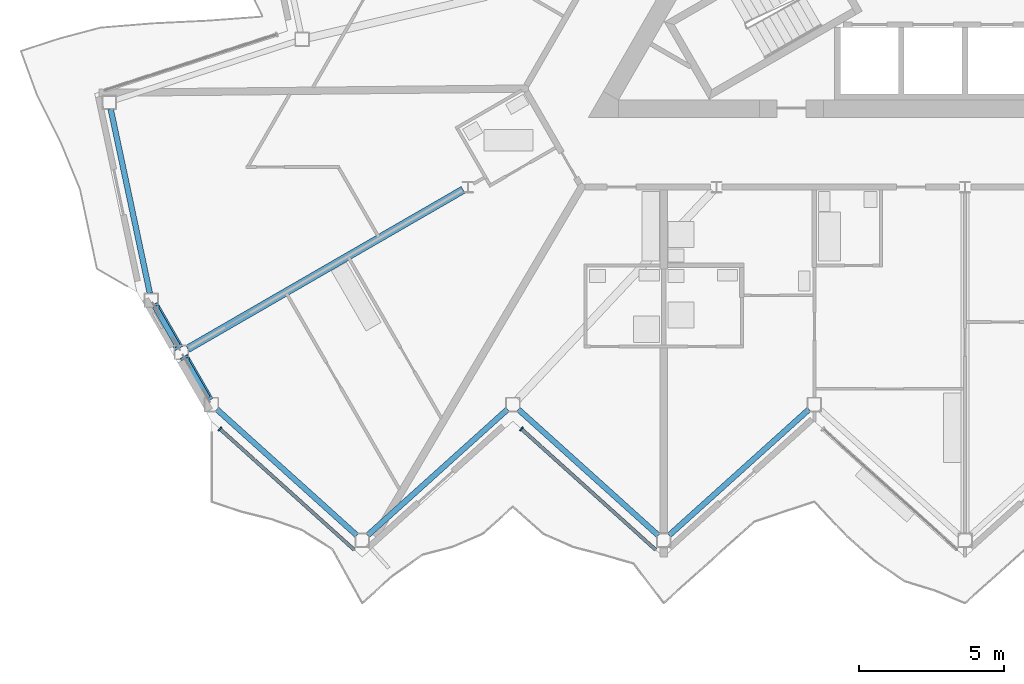
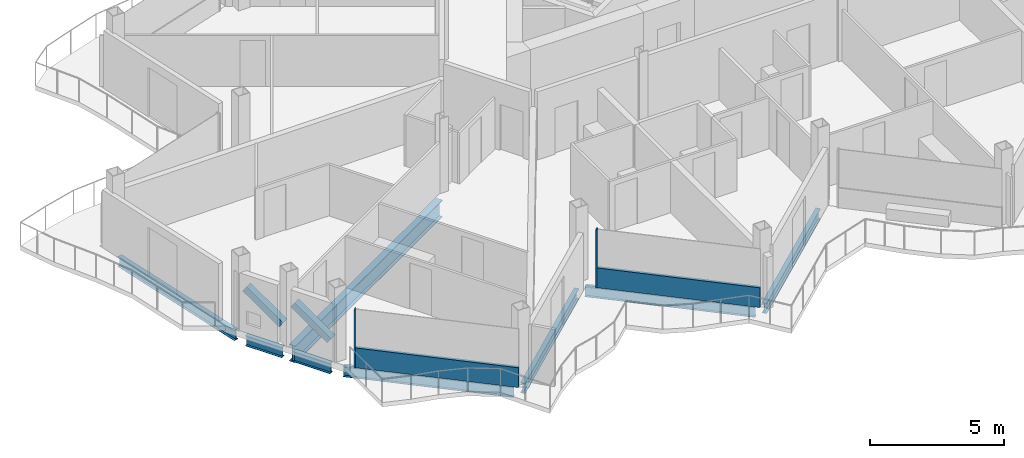
# One storey, part 4 of 26: 8 beams, 6 members, 2 elements without a shape of their own.
"""IFC4 building model written with IfcOpenShell, lengths in metres."""

from ifc_helpers import new_model, si_unit, direction, frame, origin, origin_2d, place, context, subcontext, project, spatial, rectangle, hollow_rectangle, i_section, extrude, material, layer, layer_set, material_profile, profile_set, type_object, element, aggregate, save


model = new_model("IFC4")

# Units and contexts
model_context = context("Model", 3, precision=1e-05, world=origin(), true_north=direction((0.0, 1.0)))
body_context = subcontext(model_context, "Body", "Model", "MODEL_VIEW")
ifc_project = project(units=[si_unit("LENGTHUNIT", "METRE"), si_unit("AREAUNIT", "SQUARE_METRE"), si_unit("VOLUMEUNIT", "CUBIC_METRE"), si_unit("PLANEANGLEUNIT", "RADIAN"), si_unit("MASSUNIT", "GRAM", prefix="KILO")], contexts=[model_context])

# Site, building, storey
site_placement = place(None, origin())
site = spatial("IfcSite", under=ifc_project, at=site_placement, CompositionType="ELEMENT")
building_placement = place(site_placement, origin())
building = spatial("IfcBuilding", under=site, at=building_placement, Name="Cormorant Prow Tower", CompositionType="ELEMENT")
storey_placement = place(building_placement, frame((0.0, 0.0, 378.0)))
storey = spatial("IfcBuildingStorey", under=building, at=storey_placement, Name="L85", CompositionType="ELEMENT", Elevation=378.0)

# Members
ifc_material_1 = material(Name="Structural steel ASTM A500 Gr C", Category="steel")
ifc_material_profile_1 = material_profile(ifc_material_1, hollow_rectangle(XDim=0.3046875, YDim=0.3046875, WallThickness=0.01171875, at=origin_2d()), Name="HSS12x12x1/2")
ifc_profile_set_1 = profile_set([ifc_material_profile_1], Name="Structural steel ASTM A500 Gr C")
member_type_1 = type_object("IfcMemberType", Name="Chamfer brace HSS12x12x1/2", PredefinedType="BRACE", material=ifc_profile_set_1)
member_1_placement = place(storey_placement, frame((-27.160400390625, -15.39599609375, 0.7705078125), z_axis=(-0.411230183851, 0.712282194217, 0.568809117095), x_axis=(-0.866028632512, -0.499994407638, 0.0)))
element("IfcMember", 1, at=member_1_placement, inside=storey, type_object=member_type_1, Name="Chamfer brace BR3 at WSW00 L85", PredefinedType="BRACE", context=body_context, shape_type="SweptSolid", body=[
    extrude(hollow_rectangle(XDim=0.3046875, YDim=0.3046875, WallThickness=0.01171875, at=origin_2d()), origin(), (0.0, 0.0, 1.0), 1.921142578125),
])
member_2_placement = place(storey_placement, frame((-26.123291015625, -17.192138671875, 0.7705078125), z_axis=(-0.411298537745, 0.71230756954, 0.568727913175), x_axis=(-0.866000359435, -0.500043375578, 0.0)))
element("IfcMember", 2, at=member_2_placement, inside=storey, type_object=member_type_1, Name="Chamfer brace BR3 at WSW01 L85", PredefinedType="BRACE", context=body_context, shape_type="SweptSolid", body=[
    extrude(hollow_rectangle(XDim=0.3046875, YDim=0.3046875, WallThickness=0.01171875, at=origin_2d()), origin(), (0.0, 0.0, 1.0), 1.92138671875),
])

# Beam
ifc_material_2 = material(Name="Structural steel ASTM A992 Gr 50", Category="steel")
ifc_material_profile_2 = material_profile(ifc_material_2, i_section(OverallWidth=0.267822265625, OverallDepth=0.77001953125, WebThickness=0.015625, FlangeThickness=0.025390625, at=origin_2d()), Name="W30x132")
ifc_profile_set_2 = profile_set([ifc_material_profile_2], Name="Structural steel ASTM A992 Gr 50")
beam_type_1 = type_object("IfcBeamType", Name="Radial floor beam W30x132", PredefinedType="BEAM", material=ifc_profile_set_2)
beam_1_placement = place(storey_placement, frame((-17.31884765625, -9.9990234375, -0.68505859375), z_axis=(-0.866018830095, -0.500011385791, 0.0), x_axis=(0.500011385791, -0.866018830095, 0.0)))
element("IfcBeam", 3, at=beam_1_placement, inside=storey, type_object=beam_type_1, Name="Radial floor beam FB3 5 L85", PredefinedType="BEAM", context=body_context, shape_type="SweptSolid", body=[
    extrude(i_section(OverallWidth=0.267822265625, OverallDepth=0.77001953125, WebThickness=0.015625, FlangeThickness=0.025390625, at=origin_2d()), origin(), (0.0, 0.0, 1.0), 10.971435546875),
])

# Curtain wall, member
ifc_material_3 = material(Name="Aluminium 6063-T6", Category="aluminium")
ifc_layer = layer(ifc_material_3, 0.159912109375)
ifc_layer_set = layer_set([ifc_layer], Name="Aluminium 6063-T6")
curtain_wall_type = type_object("IfcCurtainWallType", Name="Residential unitised curtain wall 160", PredefinedType="NOTDEFINED", material=ifc_layer_set)
curtain_wall_1_placement = place(storey_placement, origin())
curtain_wall_1 = element("IfcCurtainWall", 4, at=curtain_wall_1_placement, inside=storey, type_object=curtain_wall_type, Name="Residential curtain wall S00", PredefinedType="NOTDEFINED")
ifc_material_4 = material(Name="Aluminium 6063-T6", Category="aluminium")
ifc_material_profile_3 = material_profile(ifc_material_4, rectangle(XDim=0.159912109375, YDim=0.050048828125, at=origin_2d()), Name="Residential mullion 50x160")
ifc_profile_set_3 = profile_set([ifc_material_profile_3], Name="Aluminium 6063-T6")
member_type_2 = type_object("IfcMemberType", Name="Residential mullion 50x160", PredefinedType="MULLION", material=ifc_profile_set_3)
member_3_placement = place(storey_placement, frame((-25.70947265625, -18.2451171875, 0.0), z_axis=(0.0, 0.0, 1.0), x_axis=(0.669130603959, 0.743144827638, 0.0)))
member_3 = element("IfcMember", 5, at=member_3_placement, type_object=member_type_2, Name="Residential mullion S00", PredefinedType="MULLION", context=body_context, shape_type="SweptSolid", body=[
    extrude(rectangle(XDim=0.159912109375, YDim=0.050048828125, at=origin_2d()), origin(), (0.0, 0.0, 1.0), 2.6337890625),
])

curtain_wall_2_placement = place(storey_placement, origin())
curtain_wall_2 = element("IfcCurtainWall", 6, at=curtain_wall_2_placement, inside=storey, type_object=curtain_wall_type, Name="Residential curtain wall S02", PredefinedType="NOTDEFINED")
member_4_placement = place(storey_placement, frame((-15.309326171875, -18.2451171875, 0.0), z_axis=(0.0, 0.0, 1.0), x_axis=(0.669130603959, 0.743144827638, 0.0)))
member_4 = element("IfcMember", 7, at=member_4_placement, type_object=member_type_2, Name="Residential mullion S02", PredefinedType="MULLION", context=body_context, shape_type="SweptSolid", body=[
    extrude(rectangle(XDim=0.159912109375, YDim=0.050048828125, at=origin_2d()), origin(), (0.0, 0.0, 1.0), 2.6337890625),
])

# Member
ifc_material_5 = material(Name="Terracotta", Category="masonry")
ifc_material_profile_4 = material_profile(ifc_material_5, rectangle(XDim=0.1201171875, YDim=0.89990234375, at=origin_2d()), Name="Residential terracotta spandrel rail 120x900")
ifc_profile_set_4 = profile_set([ifc_material_profile_4], Name="Terracotta")
member_type_3 = type_object("IfcMemberType", Name="Residential terracotta spandrel rail 120x900", PredefinedType="USERDEFINED", material=ifc_profile_set_4)
member_5_placement = place(storey_placement, frame((-25.69091796875, -18.261962890625, 0.449951171875), z_axis=(0.743159360055, -0.669114463723, 0.0), x_axis=(0.669114463723, 0.743159360055, 0.0)))
member_5 = element("IfcMember", 8, at=member_5_placement, type_object=member_type_3, Name="Residential spandrel rail S00", ObjectType="TRANSOM", PredefinedType="USERDEFINED", context=body_context, shape_type="SweptSolid", body=[
    extrude(rectangle(XDim=0.1201171875, YDim=0.89990234375, at=origin_2d()), origin(), (0.0, 0.0, 1.0), 6.21533203125),
])

aggregate(curtain_wall_1, [member_3, member_5])

member_6_placement = place(storey_placement, frame((-15.290771484375, -18.261962890625, 0.449951171875), z_axis=(0.743159360055, -0.669114463723, 0.0), x_axis=(0.669114463723, 0.743159360055, 0.0)))
member_6 = element("IfcMember", 9, at=member_6_placement, type_object=member_type_3, Name="Residential spandrel rail S02", ObjectType="TRANSOM", PredefinedType="USERDEFINED", context=body_context, shape_type="SweptSolid", body=[
    extrude(rectangle(XDim=0.1201171875, YDim=0.89990234375, at=origin_2d()), origin(), (0.0, 0.0, 1.0), 6.21533203125),
])

aggregate(curtain_wall_2, [member_4, member_6])

# Beams
ifc_material_6 = material(Name="Structural steel ASTM A992 Gr 50", Category="steel")
ifc_material_profile_5 = material_profile(ifc_material_6, i_section(OverallWidth=0.19287109375, OverallDepth=0.466064453125, WebThickness=0.011474609375, FlangeThickness=0.01904296875, at=origin_2d()), Name="W18x65")
ifc_profile_set_5 = profile_set([ifc_material_profile_5], Name="Structural steel ASTM A992 Gr 50")
beam_type_2 = type_object("IfcBeamType", Name="Spandrel beam W18x65", PredefinedType="SPANDREL", material=ifc_profile_set_5)
for number, where, z_axis, x_axis, name in (
    (10, (-25.814208984375, -17.572998046875, -0.532958984375), (0.743131573737, -0.669145323614, 0.0), (0.669145323614, 0.743131573737, 0.0), "Spandrel beam SB4 S00-S01 L85"),
    (11, (-20.6142578125, -21.920654296875, -0.532958984375), (0.743131573737, 0.669145323614, 0.0), (-0.669145323614, 0.743131573737, 0.0), "Spandrel beam SB4 S01-S02 L85"),
):
    element("IfcBeam", number, at=place(storey_placement, frame(where, z_axis=z_axis, x_axis=x_axis)), inside=storey, type_object=beam_type_2, Name=name, PredefinedType="SPANDREL", context=body_context, shape_type="SweptSolid", body=[
        extrude(i_section(OverallWidth=0.19287109375, OverallDepth=0.466064453125, WebThickness=0.011474609375, FlangeThickness=0.01904296875, at=origin_2d()), origin(), (0.0, 0.0, 1.0), 6.497314453125),
    ])
beam_2_placement = place(storey_placement, frame((-15.414306640625, -17.572998046875, -0.532958984375), z_axis=(0.743148397689, -0.669126638995, 0.0), x_axis=(0.669126638995, 0.743148397689, 0.0)))
element("IfcBeam", 12, at=beam_2_placement, inside=storey, type_object=beam_type_2, Name="Spandrel beam SB4 S02-S03 L85", PredefinedType="SPANDREL", context=body_context, shape_type="SweptSolid", body=[
    extrude(i_section(OverallWidth=0.19287109375, OverallDepth=0.466064453125, WebThickness=0.011474609375, FlangeThickness=0.01904296875, at=origin_2d()), origin(), (0.0, 0.0, 1.0), 6.49755859375),
])
beam_3_placement = place(storey_placement, frame((-10.214111328125, -21.920654296875, -0.532958984375), z_axis=(0.743131573737, 0.669145323614, 0.0), x_axis=(-0.669145323614, 0.743131573737, 0.0)))
element("IfcBeam", 13, at=beam_3_placement, inside=storey, type_object=beam_type_2, Name="Spandrel beam SB4 S03-S04 L85", PredefinedType="SPANDREL", context=body_context, shape_type="SweptSolid", body=[
    extrude(i_section(OverallWidth=0.19287109375, OverallDepth=0.466064453125, WebThickness=0.011474609375, FlangeThickness=0.01904296875, at=origin_2d()), origin(), (0.0, 0.0, 1.0), 6.497314453125),
])
beam_4_placement = place(storey_placement, frame((-29.4765625, -7.2138671875, -0.532958984375), z_axis=(0.207901897373, -0.978149682344, 0.0), x_axis=(0.978149682344, 0.207901897373, 0.0)))
element("IfcBeam", 14, at=beam_4_placement, inside=storey, type_object=beam_type_2, Name="Spandrel beam SB4 WNW09-WSW00 L85", PredefinedType="SPANDREL", context=body_context, shape_type="SweptSolid", body=[
    extrude(i_section(OverallWidth=0.19287109375, OverallDepth=0.466064453125, WebThickness=0.011474609375, FlangeThickness=0.01904296875, at=origin_2d()), origin(), (0.0, 0.0, 1.0), 6.49755859375),
])
for number, where, z_axis, x_axis, name in (
    (15, (-27.94873046875, -14.0302734375, -0.532958984375), (0.499959680857, -0.866048680801, 0.0), (0.866048680801, 0.499959680857, 0.0), "Spandrel beam SB4 WSW00-WSW01 L85"),
    (16, (-26.911865234375, -15.826171875, -0.532958984375), (0.499959680857, -0.866048680801, 0.0), (0.866048680801, 0.499959680857, 0.0), "Spandrel beam SB4 WSW01-S00 L85"),
):
    element("IfcBeam", number, at=place(storey_placement, frame(where, z_axis=z_axis, x_axis=x_axis)), inside=storey, type_object=beam_type_2, Name=name, PredefinedType="SPANDREL", context=body_context, shape_type="SweptSolid", body=[
        extrude(i_section(OverallWidth=0.19287109375, OverallDepth=0.466064453125, WebThickness=0.011474609375, FlangeThickness=0.01904296875, at=origin_2d()), origin(), (0.0, 0.0, 1.0), 1.573974609375),
    ])

save(model, "model.ifc")
